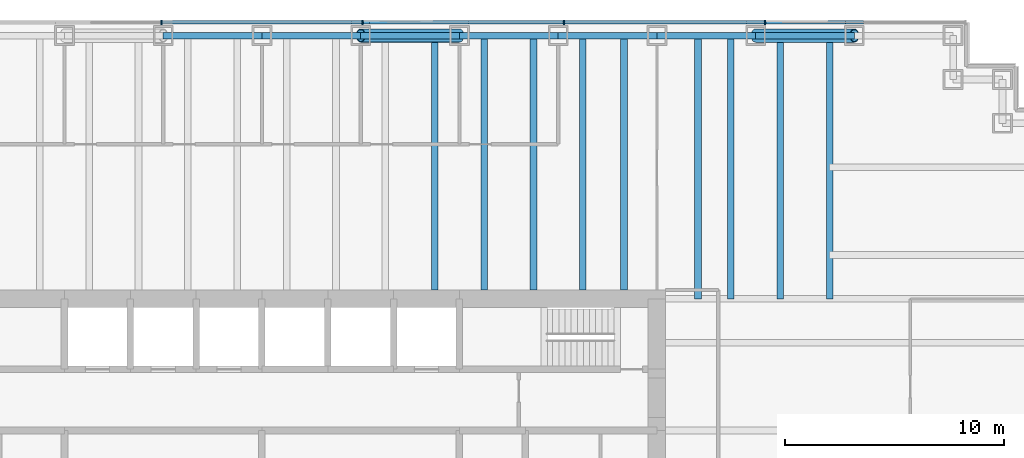
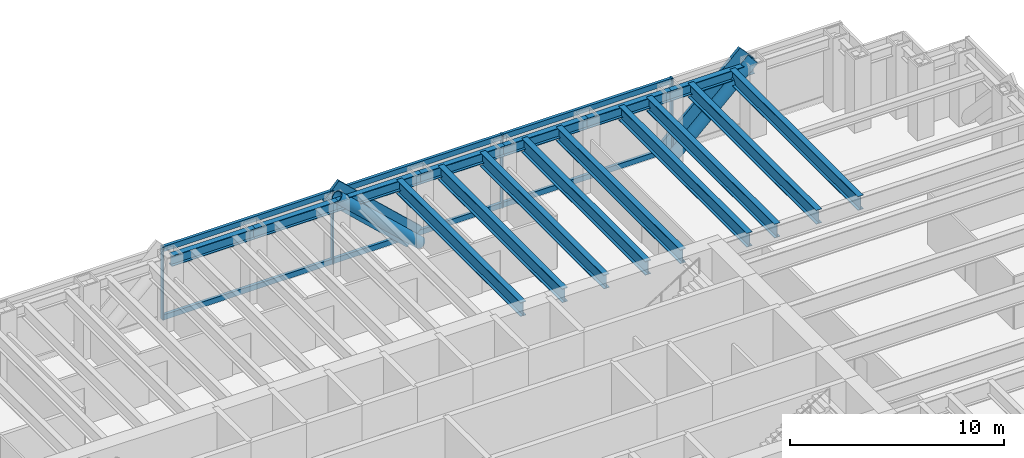
# One storey, part 7 of 15: 16 beams, 14 members, 1 element without a shape of its own.
"""IFC4 building model written with IfcOpenShell, lengths in metres."""

from ifc_helpers import new_model, si_unit, direction, frame, origin, origin_2d, place, context, subcontext, project, spatial, rectangle, hollow_circle, i_section, extrude, material, material_profile, profile_set, type_object, element, aggregate, save


model = new_model("IFC4")

# Units and contexts
model_context = context("Model", 3, precision=1e-05, world=origin(), true_north=direction((0.0, 1.0)))
body_context = subcontext(model_context, "Body", "Model", "MODEL_VIEW")
ifc_project = project(units=[si_unit("LENGTHUNIT", "METRE"), si_unit("AREAUNIT", "SQUARE_METRE"), si_unit("VOLUMEUNIT", "CUBIC_METRE"), si_unit("PLANEANGLEUNIT", "RADIAN"), si_unit("MASSUNIT", "GRAM", prefix="KILO")], contexts=[model_context])

# Site, building, storey
site_placement = place(None, origin())
site = spatial("IfcSite", under=ifc_project, at=site_placement, CompositionType="ELEMENT")
building_placement = place(site_placement, origin())
building = spatial("IfcBuilding", under=site, at=building_placement, Name="Rheinbord Bourse Tower", CompositionType="ELEMENT")
storey_placement = place(building_placement, frame((0.0, 0.0, 236.199951171875)))
storey = spatial("IfcBuildingStorey", under=building, at=storey_placement, Name="L53", CompositionType="ELEMENT", Elevation=236.199951171875)

# Curtain wall, members
ifc_material_1 = material(Name="Dark glass and black aluminium", Category="aluminium")
curtain_wall_type = type_object("IfcCurtainWallType", Name="CW2 DARK GLASS CURTAIN WALL", PredefinedType="USERDEFINED", material=ifc_material_1)
curtain_wall_placement = place(storey_placement, origin())
curtain_wall = element("IfcCurtainWall", 1, at=curtain_wall_placement, inside=storey, type_object=curtain_wall_type, Name="Curtain wall CW2 N L53", ObjectType="UNITISED CURTAIN WALL", PredefinedType="USERDEFINED")
ifc_material_2 = material(Name="Black anodised aluminium", Category="aluminium")
ifc_material_profile_1 = material_profile(ifc_material_2, rectangle(XDim=0.159912109375, YDim=1.2099609375, at=origin_2d()), Name="CW2 DIAGONAL MULLION 1210x160")
ifc_profile_set_1 = profile_set([ifc_material_profile_1], Name="Black anodised aluminium")
member_type_1 = type_object("IfcMemberType", Name="CW2 BLACK DIAGONAL MULLION", PredefinedType="USERDEFINED", material=ifc_profile_set_1)
member_1_placement = place(storey_placement, frame((58.5, 44.60009765625, 0.0), z_axis=(0.73105922506, 0.0, 0.682314010889), x_axis=(0.0, 1.0, 0.0)))
member_1 = element("IfcMember", 2, at=member_1_placement, type_object=member_type_1, Name="CW2 diagonal mullion b", ObjectType="DIAGONAL MULLION", PredefinedType="USERDEFINED", context=body_context, shape_type="SweptSolid", body=[
    extrude(rectangle(XDim=0.159912109375, YDim=1.2099609375, at=origin_2d()), origin(), (0.0, 0.0, 1.0), 6.155517578125),
])
member_2_placement = place(storey_placement, frame((45.0, 44.60009765625, 0.0), z_axis=(-0.73105922506, 0.0, 0.682314010889), x_axis=(0.0, -1.0, 0.0)))
member_2 = element("IfcMember", 3, at=member_2_placement, type_object=member_type_1, Name="CW2 diagonal mullion d", ObjectType="DIAGONAL MULLION", PredefinedType="USERDEFINED", context=body_context, shape_type="SweptSolid", body=[
    extrude(rectangle(XDim=0.159912109375, YDim=1.2099609375, at=origin_2d()), origin(), (0.0, 0.0, 1.0), 6.155517578125),
])
ifc_material_3 = material(Name="Black anodised aluminium", Category="aluminium")
ifc_material_profile_2 = material_profile(ifc_material_3, rectangle(XDim=0.219970703125, YDim=0.070068359375, at=origin_2d()), Name="CW2 MULLION 70x220")
ifc_profile_set_2 = profile_set([ifc_material_profile_2], Name="Black anodised aluminium")
member_type_2 = type_object("IfcMemberType", Name="CW2 BLACK MULLION", PredefinedType="MULLION", material=ifc_profile_set_2)
member_3_placement = place(storey_placement, frame((58.928466796875, 44.60009765625, 0.0), z_axis=(0.0, 0.0, 1.0), x_axis=(0.0, -1.0, 0.0)))
member_3 = element("IfcMember", 4, at=member_3_placement, type_object=member_type_2, Name="CW2 mullion 2", PredefinedType="MULLION", context=body_context, shape_type="SweptSolid", body=[
    extrude(rectangle(XDim=0.219970703125, YDim=0.070068359375, at=origin_2d()), origin(), (0.0, 0.0, 1.0), 4.199951171875),
])
member_4_placement = place(storey_placement, frame((49.757080078125, 44.60009765625, 0.0), z_axis=(0.0, 0.0, 1.0), x_axis=(0.0, -1.0, 0.0)))
member_4 = element("IfcMember", 5, at=member_4_placement, type_object=member_type_2, Name="CW2 mullion 3", PredefinedType="MULLION", context=body_context, shape_type="SweptSolid", body=[
    extrude(rectangle(XDim=0.219970703125, YDim=0.070068359375, at=origin_2d()), origin(), (0.0, 0.0, 1.0), 4.199951171875),
])
member_5_placement = place(storey_placement, frame((40.585693359375, 44.60009765625, 0.0), z_axis=(0.0, 0.0, 1.0), x_axis=(0.0, -1.0, 0.0)))
member_5 = element("IfcMember", 6, at=member_5_placement, type_object=member_type_2, Name="CW2 mullion 4", PredefinedType="MULLION", context=body_context, shape_type="SweptSolid", body=[
    extrude(rectangle(XDim=0.219970703125, YDim=0.070068359375, at=origin_2d()), origin(), (0.0, 0.0, 1.0), 4.199951171875),
])
member_6_placement = place(storey_placement, frame((31.414306640625, 44.60009765625, 0.0), z_axis=(0.0, 0.0, 1.0), x_axis=(0.0, -1.0, 0.0)))
member_6 = element("IfcMember", 7, at=member_6_placement, type_object=member_type_2, Name="CW2 mullion 5", PredefinedType="MULLION", context=body_context, shape_type="SweptSolid", body=[
    extrude(rectangle(XDim=0.219970703125, YDim=0.070068359375, at=origin_2d()), origin(), (0.0, 0.0, 1.0), 4.199951171875),
])
ifc_material_4 = material(Name="Black anodised aluminium", Category="aluminium")
ifc_material_profile_3 = material_profile(ifc_material_4, rectangle(XDim=0.159912109375, YDim=0.300048828125, at=origin_2d()), Name="CW2 TRANSOM 300x160")
ifc_profile_set_3 = profile_set([ifc_material_profile_3], Name="Black anodised aluminium")
member_type_3 = type_object("IfcMemberType", Name="CW2 BLACK TRANSOM", PredefinedType="USERDEFINED", material=ifc_profile_set_3)
member_7_placement = place(storey_placement, frame((58.8935546875, 44.60009765625, 0.150146484375), z_axis=(-1.0, 0.0, 0.0), x_axis=(0.0, -1.0, 0.0)))
member_7 = element("IfcMember", 8, at=member_7_placement, type_object=member_type_3, Name="CW2 transom 2.1", ObjectType="TRANSOM", PredefinedType="USERDEFINED", context=body_context, shape_type="SweptSolid", body=[
    extrude(rectangle(XDim=0.159912109375, YDim=0.300048828125, at=origin_2d()), origin(), (0.0, 0.0, 1.0), 9.101318359375),
])
member_8_placement = place(storey_placement, frame((58.8935546875, 44.60009765625, 4.050048828125), z_axis=(-1.0, 0.0, 0.0), x_axis=(0.0, -1.0, 0.0)))
member_8 = element("IfcMember", 9, at=member_8_placement, type_object=member_type_3, Name="CW2 transom 2.2", ObjectType="TRANSOM", PredefinedType="USERDEFINED", context=body_context, shape_type="SweptSolid", body=[
    extrude(rectangle(XDim=0.159912109375, YDim=0.300048828125, at=origin_2d()), origin(), (0.0, 0.0, 1.0), 9.101318359375),
])
member_9_placement = place(storey_placement, frame((49.72216796875, 44.60009765625, 0.150146484375), z_axis=(-1.0, 0.0, 0.0), x_axis=(0.0, -1.0, 0.0)))
member_9 = element("IfcMember", 10, at=member_9_placement, type_object=member_type_3, Name="CW2 transom 3.1", ObjectType="TRANSOM", PredefinedType="USERDEFINED", context=body_context, shape_type="SweptSolid", body=[
    extrude(rectangle(XDim=0.159912109375, YDim=0.300048828125, at=origin_2d()), origin(), (0.0, 0.0, 1.0), 9.1015625),
])
member_10_placement = place(storey_placement, frame((49.72216796875, 44.60009765625, 4.050048828125), z_axis=(-1.0, 0.0, 0.0), x_axis=(0.0, -1.0, 0.0)))
member_10 = element("IfcMember", 11, at=member_10_placement, type_object=member_type_3, Name="CW2 transom 3.2", ObjectType="TRANSOM", PredefinedType="USERDEFINED", context=body_context, shape_type="SweptSolid", body=[
    extrude(rectangle(XDim=0.159912109375, YDim=0.300048828125, at=origin_2d()), origin(), (0.0, 0.0, 1.0), 9.1015625),
])
member_11_placement = place(storey_placement, frame((40.55078125, 44.60009765625, 0.150146484375), z_axis=(-1.0, 0.0, 0.0), x_axis=(0.0, -1.0, 0.0)))
member_11 = element("IfcMember", 12, at=member_11_placement, type_object=member_type_3, Name="CW2 transom 4.1", ObjectType="TRANSOM", PredefinedType="USERDEFINED", context=body_context, shape_type="SweptSolid", body=[
    extrude(rectangle(XDim=0.159912109375, YDim=0.300048828125, at=origin_2d()), origin(), (0.0, 0.0, 1.0), 9.1015625),
])
member_12_placement = place(storey_placement, frame((40.55078125, 44.60009765625, 4.050048828125), z_axis=(-1.0, 0.0, 0.0), x_axis=(0.0, -1.0, 0.0)))
member_12 = element("IfcMember", 13, at=member_12_placement, type_object=member_type_3, Name="CW2 transom 4.2", ObjectType="TRANSOM", PredefinedType="USERDEFINED", context=body_context, shape_type="SweptSolid", body=[
    extrude(rectangle(XDim=0.159912109375, YDim=0.300048828125, at=origin_2d()), origin(), (0.0, 0.0, 1.0), 9.1015625),
])
aggregate(curtain_wall, [member_3, member_4, member_5, member_6, member_7, member_8, member_9, member_10, member_11, member_12, member_1, member_2])

# Beams
ifc_material_5 = material(Name="Steel S460", Category="steel")
ifc_material_profile_4 = material_profile(ifc_material_5, i_section(OverallWidth=0.300048828125, OverallDepth=0.800048828125, WebThickness=0.017578125, FlangeThickness=0.032958984375, at=origin_2d()), Name="HEB 800")
ifc_profile_set_4 = profile_set([ifc_material_profile_4], Name="Steel S460")
beam_type_1 = type_object("IfcBeamType", Name="FLOOR BEAM HEB 800", PredefinedType="BEAM", material=ifc_profile_set_4)
for number, where, z_axis, x_axis, name in (
    (14, (43.875, 44.0, 3.64013671875), (0.0, -1.0, 0.0), (1.0, 0.0, 0.0), "Floor beam N-40.5b L54"),
    (15, (46.125, 44.0, 3.64013671875), (0.0, -1.0, 0.0), (1.0, 0.0, 0.0), "Floor beam N-45a L54"),
    (16, (48.375, 44.0, 3.64013671875), (0.0, -1.0, 0.0), (1.0, 0.0, 0.0), "Floor beam N-45b L54"),
    (17, (50.625, 44.0, 3.64013671875), (0.0, -1.0, 0.0), (1.0, 0.0, 0.0), "Floor beam N-49.5a L54"),
    (18, (52.5, 44.0, 3.64013671875), (0.0, -1.0, 0.0), (1.0, 0.0, 0.0), "Floor beam N-49.5b L54"),
):
    element("IfcBeam", number, at=place(storey_placement, frame(where, z_axis=z_axis, x_axis=x_axis)), inside=storey, type_object=beam_type_1, Name=name, PredefinedType="BEAM", context=body_context, shape_type="SweptSolid", body=[
        extrude(i_section(OverallWidth=0.300048828125, OverallDepth=0.800048828125, WebThickness=0.017578125, FlangeThickness=0.032958984375, at=origin_2d()), origin(), (0.0, 0.0, 1.0), 11.60009765625),
    ])
for number, where, z_axis, x_axis, name in (
    (19, (55.875, 44.0, 3.64013671875), (0.0, -1.0, 0.0), (1.0, 0.0, 0.0), "Floor beam N-54a L54"),
    (20, (57.375, 44.0, 3.64013671875), (0.0, -1.0, 0.0), (1.0, 0.0, 0.0), "Floor beam N-54b L54"),
    (21, (59.625, 44.0, 3.64013671875), (0.0, -1.0, 0.0), (1.0, 0.0, 0.0), "Floor beam N-58.5a L54"),
    (22, (61.875, 44.0, 3.64013671875), (0.0, -1.0, 0.0), (1.0, 0.0, 0.0), "Floor beam N-58.5b L54"),
):
    element("IfcBeam", number, at=place(storey_placement, frame(where, z_axis=z_axis, x_axis=x_axis)), inside=storey, type_object=beam_type_1, Name=name, PredefinedType="BEAM", context=body_context, shape_type="SweptSolid", body=[
        extrude(i_section(OverallWidth=0.300048828125, OverallDepth=0.800048828125, WebThickness=0.017578125, FlangeThickness=0.032958984375, at=origin_2d()), origin(), (0.0, 0.0, 1.0), 12.0),
    ])

# Members
ifc_material_6 = material(Name="Steel S460", Category="steel")
ifc_material_profile_5 = material_profile(ifc_material_6, hollow_circle(Radius=0.304931640625, WallThickness=0.0400390625, at=origin_2d()), Name="CHS 610x40")
ifc_profile_set_5 = profile_set([ifc_material_profile_5], Name="Steel S460")
member_type_4 = type_object("IfcMemberType", Name="MEGABRACE CHS 610x40", PredefinedType="BRACE", material=ifc_profile_set_5)
for number, where, z_axis, x_axis, name in (
    (23, (58.5, 44.0, 0.0), (0.73105922506, 0.0, 0.682314010889), (0.0, 1.0, 0.0), "Megabrace N face line b L53"),
    (24, (45.0, 44.0, 0.0), (-0.73105922506, 0.0, 0.682314010889), (0.0, -1.0, 0.0), "Megabrace N face line d L53"),
):
    element("IfcMember", number, at=place(storey_placement, frame(where, z_axis=z_axis, x_axis=x_axis)), inside=storey, type_object=member_type_4, Name=name, PredefinedType="BRACE", context=body_context, shape_type="SweptSolid", body=[
        extrude(hollow_circle(Radius=0.304931640625, WallThickness=0.0400390625, at=origin_2d()), origin(), (0.0, 0.0, 1.0), 6.155517578125),
    ])

# Beams
ifc_material_7 = material(Name="Steel S460", Category="steel")
ifc_material_profile_6 = material_profile(ifc_material_7, i_section(OverallWidth=0.300048828125, OverallDepth=0.60009765625, WebThickness=0.015380859375, FlangeThickness=0.030029296875, at=origin_2d()), Name="HEB 600")
ifc_profile_set_6 = profile_set([ifc_material_profile_6], Name="Steel S460")
beam_type_2 = type_object("IfcBeamType", Name="SPANDREL HEB 600", PredefinedType="SPANDREL", material=ifc_profile_set_6)
for number, where, z_axis, x_axis, name in (
    (25, (63.0, 44.0, 3.739990234375), (-1.0, 0.0, 0.0), (0.0, -1.0, 0.0), "Spandrel N-63-N-58.5 under L54"),
    (26, (58.5, 44.0, 3.739990234375), (-1.0, 0.0, 0.0), (0.0, -1.0, 0.0), "Spandrel N-58.5-N-54 under L54"),
    (27, (54.0, 44.0, 3.739990234375), (-1.0, 0.0, 0.0), (0.0, -1.0, 0.0), "Spandrel N-54-N-49.5 under L54"),
    (28, (49.5, 44.0, 3.739990234375), (-1.0, 0.0, 0.0), (0.0, -1.0, 0.0), "Spandrel N-49.5-N-45 under L54"),
    (29, (45.0, 44.0, 3.739990234375), (-1.0, 0.0, 0.0), (0.0, -1.0, 0.0), "Spandrel N-45-N-40.5 under L54"),
    (30, (40.5, 44.0, 3.739990234375), (-1.0, 0.0, 0.0), (0.0, -1.0, 0.0), "Spandrel N-40.5-N-36 under L54"),
    (31, (36.0, 44.0, 3.739990234375), (-1.0, 0.0, 0.0), (0.0, -1.0, 0.0), "Spandrel N-36-N-31.5 under L54"),
):
    element("IfcBeam", number, at=place(storey_placement, frame(where, z_axis=z_axis, x_axis=x_axis)), inside=storey, type_object=beam_type_2, Name=name, PredefinedType="SPANDREL", context=body_context, shape_type="SweptSolid", body=[
        extrude(i_section(OverallWidth=0.300048828125, OverallDepth=0.60009765625, WebThickness=0.015380859375, FlangeThickness=0.030029296875, at=origin_2d()), origin(), (0.0, 0.0, 1.0), 4.5),
    ])

save(model, "model.ifc")
